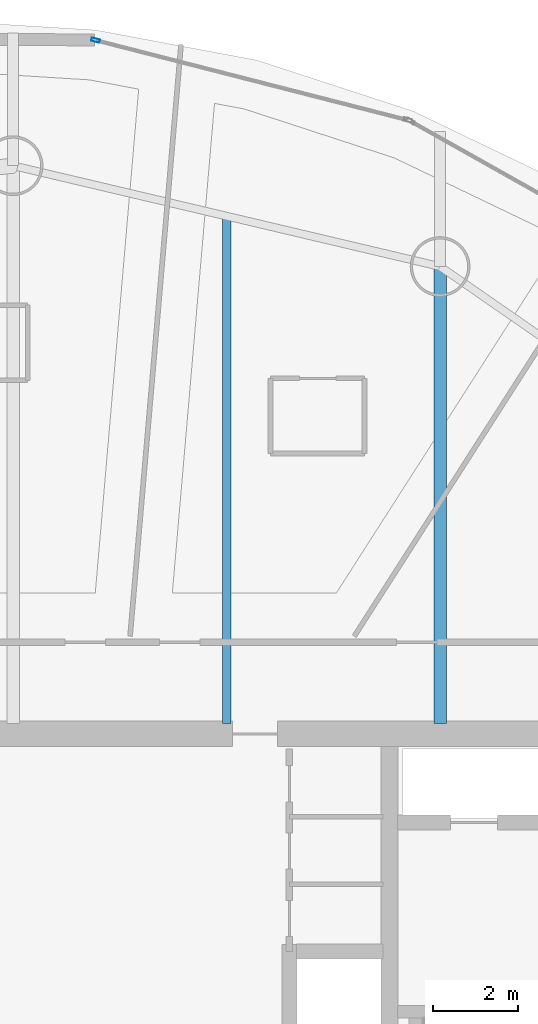
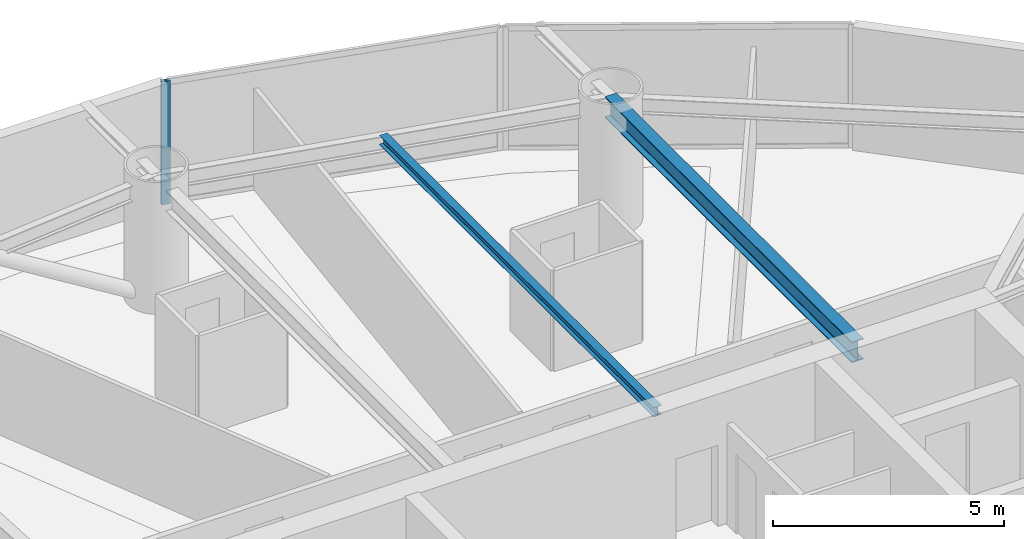
# One storey, part 12 of 22: 2 beams, 1 member, 1 element without a shape of its own.
"""IFC4 building model written with IfcOpenShell, lengths in metres."""

import ifcopenshell
import ifcopenshell.guid

model = None  # the IFC model being written
_history = None  # IfcOwnerHistory: only IFC2X3 demands one
_inside = {}  # id of a spatial element -> (the spatial element, [elements in it])
_under = {}  # id of a project, library or spatial element -> (it, [spatial elements below it])
_declared = {}  # id of a project -> (the project, [libraries it declares])
_typed = {}  # id of a type object -> (the type object, [elements of that type])
_made_of = {}  # id of a material, layer set ... -> (it, [elements and type objects made of it])


def new_model(schema):
    """Start an empty IFC model of exactly this schema.

    Asked for "IFC4X3", IfcOpenShell would pick the latest addendum, in which some entities
    have other attributes; the version numbers below select the first issue.
    IFC2X3 requires an IfcOwnerHistory on every rooted entity: one is made here for all.
    """
    global model, _history
    if schema == "IFC4X3":
        model = ifcopenshell.file(schema_version=(4, 3, 0, 0))
    else:
        model = ifcopenshell.file(schema=schema)
    _inside.clear()
    _under.clear()
    _declared.clear()
    _typed.clear()
    _made_of.clear()
    _history = None
    if model.schema == "IFC2X3":
        org = make("IfcOrganization", Name="unknown")
        user = make(
            "IfcPersonAndOrganization",
            ThePerson=make("IfcPerson", FamilyName="unknown"),
            TheOrganization=org,
        )
        app = make(
            "IfcApplication",
            ApplicationDeveloper=org,
            Version="unknown",
            ApplicationFullName="unknown",
            ApplicationIdentifier="unknown",
        )
        _history = make(
            "IfcOwnerHistory",
            OwningUser=user,
            OwningApplication=app,
            ChangeAction="ADDED",
            CreationDate=0,
        )
    return model


def make(cls, **values):
    """One entity of the class cls with the attributes given. An attribute that is None is left unset."""
    return model.create_entity(
        cls, **{name: value for name, value in values.items() if value is not None}
    )


def rooted(cls, **values):
    """An entity with a GlobalId (a new one), such as an element, a storey or a relation."""
    return make(cls, GlobalId=ifcopenshell.guid.new(), OwnerHistory=_history, **values)


def si_unit(unit_type, name, prefix=None):
    """IfcSIUnit, for example si_unit("LENGTHUNIT", "METRE", prefix="MILLI")."""
    return make("IfcSIUnit", UnitType=unit_type, Prefix=prefix, Name=name)


def assignment(units):
    """IfcUnitAssignment: the units of a project."""
    return None if units is None else make("IfcUnitAssignment", Units=units)


def point(xyz):
    """IfcCartesianPoint."""
    return None if xyz is None else make("IfcCartesianPoint", Coordinates=xyz)


def direction(xyz):
    """IfcDirection."""
    return None if xyz is None else make("IfcDirection", DirectionRatios=xyz)


def frame(location, z_axis=None, x_axis=None):
    """IfcAxis2Placement3D, a coordinate frame: its origin and axes. An axis left out is left unset."""
    return make(
        "IfcAxis2Placement3D",
        Location=point(location),
        Axis=direction(z_axis),
        RefDirection=direction(x_axis),
    )


def frame_2d(location, x_axis=None):
    """IfcAxis2Placement2D, a coordinate frame in the plane: its origin and x axis."""
    return make(
        "IfcAxis2Placement2D", Location=point(location), RefDirection=direction(x_axis)
    )


def origin():
    """The frame at (0, 0, 0) with its axes left unset."""
    return frame((0.0, 0.0, 0.0))


def origin_2d():
    """The frame at (0, 0) in the plane with its x axis left unset."""
    return frame_2d((0.0, 0.0))


def place(relative_to, where):
    """IfcLocalPlacement: puts the frame where relative to a parent placement (None: the world)."""
    return make(
        "IfcLocalPlacement", PlacementRelTo=relative_to, RelativePlacement=where
    )


def context(
    kind, dimensions, precision=None, world=None, true_north=None, identifier=None
):
    """IfcGeometricRepresentationContext, for example the 3D "Model" context."""
    return make(
        "IfcGeometricRepresentationContext",
        ContextIdentifier=identifier,
        ContextType=kind,
        CoordinateSpaceDimension=dimensions,
        Precision=precision,
        WorldCoordinateSystem=world,
        TrueNorth=true_north,
    )


def subcontext(parent, identifier, kind, view, scale=None):
    """IfcGeometricRepresentationSubContext, for example "Body" below "Model"."""
    return make(
        "IfcGeometricRepresentationSubContext",
        ContextIdentifier=identifier,
        ContextType=kind,
        ParentContext=parent,
        TargetScale=scale,
        TargetView=view,
    )


def project(units=None, contexts=None):
    """IfcProject with its units and contexts."""
    return rooted(
        "IfcProject",
        Name="project",
        RepresentationContexts=contexts,
        UnitsInContext=assignment(units),
    )


def spatial(cls, under=None, at=None, **own):
    """A site, building, storey or space (cls), placed at a placement, below another one or the project."""
    s = rooted(cls, ObjectPlacement=at, **own)
    if under is not None:
        _under.setdefault(under.id(), (under, []))[1].append(s)
    return s


def profile(cls, at=None, kind="AREA", **sizes):
    """A parametric profile (cls). Its sizes go by their IFC names, for example OverallWidth=200.0."""
    return make(cls, ProfileType=kind, Position=at, **sizes)


def hollow_rectangle(**sizes):
    """IfcRectangleHollowProfileDef."""
    return profile("IfcRectangleHollowProfileDef", **sizes)


def i_section(**sizes):
    """IfcIShapeProfileDef."""
    return profile("IfcIShapeProfileDef", **sizes)


def extrude(swept, where, along, depth):
    """IfcExtrudedAreaSolid: the profile swept, set in the frame where, extruded along a direction by depth."""
    return make(
        "IfcExtrudedAreaSolid",
        SweptArea=swept,
        Position=where,
        ExtrudedDirection=direction(along),
        Depth=depth,
    )


def shape(context_of_items, identifier, shape_type, items):
    """IfcShapeRepresentation: the items that make up one representation, for example the "Body"."""
    return make(
        "IfcShapeRepresentation",
        ContextOfItems=context_of_items,
        RepresentationIdentifier=identifier,
        RepresentationType=shape_type,
        Items=items,
    )


def material(Name=None, Category=None):
    """IfcMaterial."""
    return make("IfcMaterial", Name=Name, Category=Category)


def layer(
    of_material, thickness, ventilated=None, Name=None, Category=None, Priority=None
):
    """IfcMaterialLayer: one layer of a wall or slab, of a material (None: an air gap)."""
    return make(
        "IfcMaterialLayer",
        Material=of_material,
        LayerThickness=thickness,
        IsVentilated=ventilated,
        Name=Name,
        Category=Category,
        Priority=Priority,
    )


def layer_set(layers, Name=None):
    """IfcMaterialLayerSet."""
    return make("IfcMaterialLayerSet", MaterialLayers=layers, LayerSetName=Name)


def material_profile(
    of_material, cross_section, Name=None, Category=None, Priority=None
):
    """IfcMaterialProfile: a cross section and its material."""
    return make(
        "IfcMaterialProfile",
        Name=Name,
        Material=of_material,
        Profile=cross_section,
        Priority=Priority,
        Category=Category,
    )


def profile_set(profiles, Name=None, composite=None):
    """IfcMaterialProfileSet."""
    return make(
        "IfcMaterialProfileSet",
        Name=Name,
        MaterialProfiles=profiles,
        CompositeProfile=composite,
    )


def made_of(thing, what):
    """Note that an element or type object is made of a material, layer set ...; save() writes the relation."""
    if what is not None:
        _made_of.setdefault(what.id(), (what, []))[1].append(thing)
    return thing


def type_object(cls, material=None, **own):
    """A type object (cls), such as IfcWallType, which elements share."""
    return made_of(rooted(cls, **own), material)


def element(
    cls,
    number,
    at=None,
    inside=None,
    cuts=None,
    type_object=None,
    material=None,
    context=None,
    identifier="Body",
    shape_type=None,
    held_by="IfcProductDefinitionShape",
    body=None,
    shapes=None,
    **own,
):
    """One element of the class cls, such as IfcWall. Its Tag is "e" and its number.

    at: its placement. inside: the storey or other place that contains it. cuts: it is an
    opening in that element (IfcRelVoidsElement). A single representation is given by context,
    identifier, shape_type and body (its items); several are given by shapes. held_by: the class
    of the entity that holds the representations. save() writes the other relations.
    """
    e = rooted(cls, Tag="e%d" % number, ObjectPlacement=at, **own)
    if body is not None:
        shapes = [shape(context, identifier, shape_type, body)]
    if shapes is not None:
        e.Representation = make(held_by, Representations=shapes)
    if inside is not None:
        _inside.setdefault(inside.id(), (inside, []))[1].append(e)
    if cuts is not None:
        rooted(
            "IfcRelVoidsElement", RelatingBuildingElement=cuts, RelatedOpeningElement=e
        )
    if type_object is not None:
        _typed.setdefault(type_object.id(), (type_object, []))[1].append(e)
    return made_of(e, material)


def aggregate(whole, parts):
    """IfcRelAggregates: a whole, such as a stair, and the parts it consists of."""
    return rooted("IfcRelAggregates", RelatingObject=whole, RelatedObjects=parts)


def save(model, path):
    """Write the relations noted so far, then the file.

    IfcRelAggregates (storeys below a building ...), IfcRelContainedInSpatialStructure (elements
    in a storey), IfcRelDefinesByType, IfcRelAssociatesMaterial and IfcRelDeclares: one each for
    every whole, place, type object, material and project.
    """
    for whole, parts in _under.values():
        aggregate(whole, parts)
    for where, things in _inside.values():
        rooted(
            "IfcRelContainedInSpatialStructure",
            RelatedElements=things,
            RelatingStructure=where,
        )
    for kind, things in _typed.values():
        rooted("IfcRelDefinesByType", RelatedObjects=things, RelatingType=kind)
    for what, things in _made_of.values():
        rooted("IfcRelAssociatesMaterial", RelatedObjects=things, RelatingMaterial=what)
    for by, libraries in _declared.values():
        rooted("IfcRelDeclares", RelatingContext=by, RelatedDefinitions=libraries)
    model.write(path)


model = new_model("IFC4")

# Units and contexts
model_context = context("Model", 3, precision=1e-05, world=origin(), true_north=direction((0.0, 1.0)))
body_context = subcontext(model_context, "Body", "Model", "MODEL_VIEW")
ifc_project = project(units=[si_unit("LENGTHUNIT", "METRE"), si_unit("AREAUNIT", "SQUARE_METRE"), si_unit("VOLUMEUNIT", "CUBIC_METRE"), si_unit("PLANEANGLEUNIT", "RADIAN"), si_unit("MASSUNIT", "GRAM", prefix="KILO")], contexts=[model_context])

# Site, building, storey
site_placement = place(None, origin())
site = spatial("IfcSite", under=ifc_project, at=site_placement, CompositionType="ELEMENT")
building_placement = place(site_placement, origin())
building = spatial("IfcBuilding", under=site, at=building_placement, Name="Bramvorn Convention Spire", CompositionType="ELEMENT")
storey_placement = place(building_placement, frame((0.0, 0.0, 120.300048828125)))
storey = spatial("IfcBuildingStorey", under=building, at=storey_placement, Name="L29", CompositionType="ELEMENT", Elevation=120.300048828125)

# Beams
ifc_material_1 = material(Name="Steel CSA G40.21 Grade 350 (350W)", Category="steel")
ifc_material_profile_1 = material_profile(ifc_material_1, i_section(OverallWidth=0.201904296875, OverallDepth=0.2470703125, WebThickness=0.00732421875, FlangeThickness=0.010986328125, FilletRadius=0.011962890625, at=origin_2d()))
ifc_profile_set_1 = profile_set([ifc_material_profile_1], Name="Steel CSA G40.21 Grade 350 (350W) - W250X49")
beam_type_1 = type_object("IfcBeamType", Name="BM-W250X49", PredefinedType="JOIST", material=ifc_profile_set_1)
beam_1_placement = place(storey_placement, frame((41.079345703125, 33.449951171875, 3.136474609375), z_axis=(0.0, 1.0, 0.0), x_axis=(-1.0, 0.0, 0.0)))
element("IfcBeam", 1, at=beam_1_placement, inside=storey, type_object=beam_type_1, Name="L29 composite floor joist 05", PredefinedType="JOIST", context=body_context, shape_type="SweptSolid", body=[
    extrude(i_section(OverallWidth=0.201904296875, OverallDepth=0.2470703125, WebThickness=0.00732421875, FlangeThickness=0.010986328125, FilletRadius=0.011962890625, at=origin_2d()), origin(), (0.0, 0.0, 1.0), 11.8857421875),
])
ifc_material_profile_2 = material_profile(ifc_material_1, i_section(OverallWidth=0.2919921875, OverallDepth=0.551025390625, WebThickness=0.01513671875, FlangeThickness=0.0244140625, FilletRadius=0.01904296875, at=origin_2d()))
ifc_profile_set_2 = profile_set([ifc_material_profile_2], Name="Steel CSA G40.21 Grade 350 (350W) - W530X182")
beam_type_2 = type_object("IfcBeamType", Name="BM-W530X182", PredefinedType="BEAM", material=ifc_profile_set_2)
beam_2_placement = place(storey_placement, frame((46.082763671875, 33.449951171875, 2.984375), z_axis=(0.0, 1.0, 0.0), x_axis=(-1.0, 0.0, 0.0)))
element("IfcBeam", 2, at=beam_2_placement, inside=storey, type_object=beam_type_2, Name="L29 radial floor girder MC05", PredefinedType="BEAM", context=body_context, shape_type="SweptSolid", body=[
    extrude(i_section(OverallWidth=0.2919921875, OverallDepth=0.551025390625, WebThickness=0.01513671875, FlangeThickness=0.0244140625, FilletRadius=0.01904296875, at=origin_2d()), origin(), (0.0, 0.0, 1.0), 10.7041015625),
])

# Curtain wall, member
ifc_material_2 = material(Name="Anodised Bronze Unitised Curtain Wall", Category="aluminium")
ifc_layer = layer(ifc_material_2, 0.179931640625)
ifc_layer_set = layer_set([ifc_layer], Name="Anodised Bronze Unitised Curtain Wall - CW-HTL-FRIT")
curtain_wall_type = type_object("IfcCurtainWallType", Name="CW-HTL-FRIT", PredefinedType="USERDEFINED", material=ifc_layer_set)
curtain_wall_placement = place(storey_placement, origin())
curtain_wall = element("IfcCurtainWall", 3, at=curtain_wall_placement, inside=storey, type_object=curtain_wall_type, Name="L29 fritted glass curtain wall 07", ObjectType="UNITISED CURTAIN WALL", PredefinedType="USERDEFINED")
ifc_material_3 = material(Name="Anodised Bronze Aluminium 6063-T6", Category="aluminium")
ifc_material_profile_3 = material_profile(ifc_material_3, hollow_rectangle(XDim=0.080078125, YDim=0.199951171875, WallThickness=0.00390625, InnerFilletRadius=0.0009765625, OuterFilletRadius=0.00390625, at=origin_2d()))
ifc_profile_set_3 = profile_set([ifc_material_profile_3], Name="Anodised Bronze Aluminium 6063-T6 - CWM80X200")
member_type = type_object("IfcMemberType", Name="CW-MUL-180", PredefinedType="MULLION", material=ifc_profile_set_3)
member_placement = place(storey_placement, frame((38.008544921875, 49.458251953125, 0.0), z_axis=(0.0, 0.0, 1.0), x_axis=(0.247875657939, 0.968791854942, 0.0)))
member = element("IfcMember", 4, at=member_placement, type_object=member_type, Name="CW2 mullion 1", PredefinedType="MULLION", context=body_context, shape_type="SweptSolid", body=[
    extrude(hollow_rectangle(XDim=0.080078125, YDim=0.199951171875, WallThickness=0.00390625, InnerFilletRadius=0.0009765625, OuterFilletRadius=0.00390625, at=origin_2d()), origin(), (0.0, 0.0, 1.0), 3.260009765625),
])
aggregate(curtain_wall, [member])

save(model, "model.ifc")
